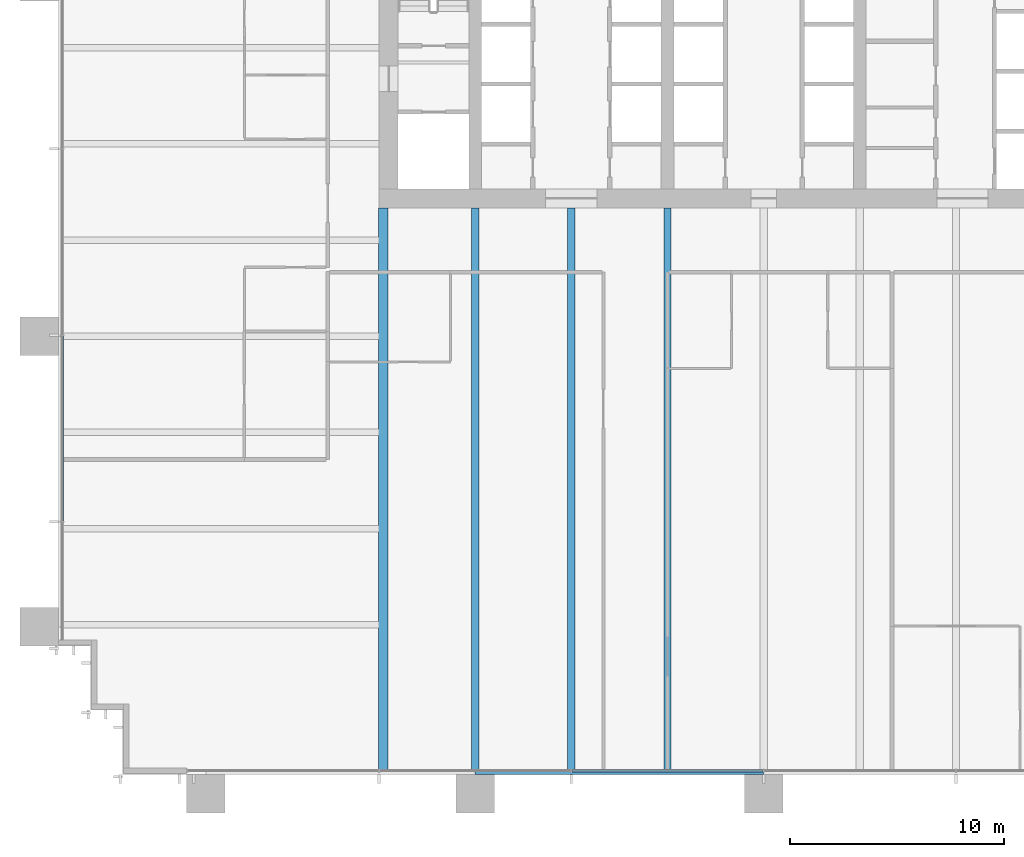
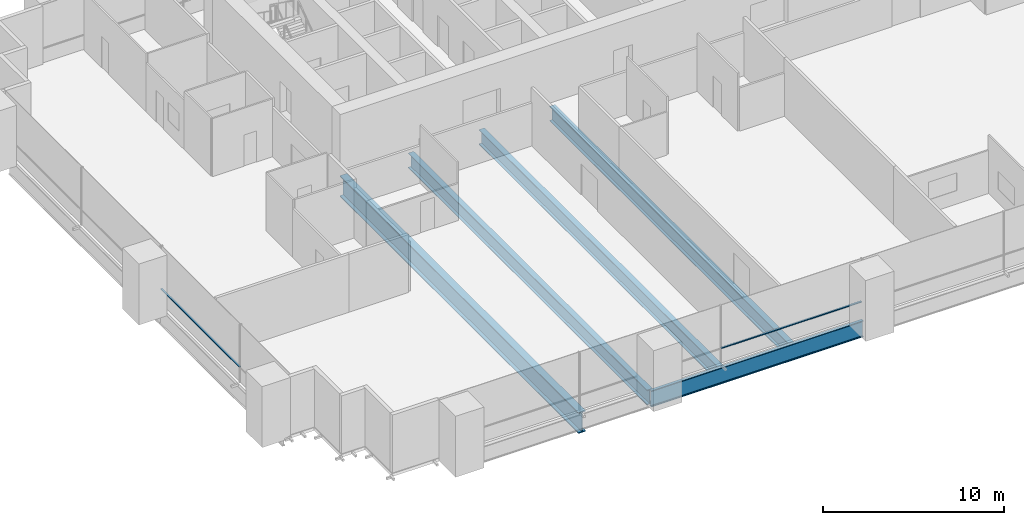
# One storey, part 3 of 17: 5 beams, 2 members, 2 elements without a shape of their own.
"""IFC4 building model written with IfcOpenShell, lengths in metres."""

from ifc_helpers import new_model, si_unit, direction, frame, origin, origin_2d, place, context, subcontext, project, spatial, rectangle, i_section, extrude, material, material_profile, profile_set, type_object, element, aggregate, save


model = new_model("IFC4")

# Units and contexts
model_context = context("Model", 3, precision=1e-05, world=origin(), true_north=direction((0.0, 1.0)))
body_context = subcontext(model_context, "Body", "Model", "MODEL_VIEW")
ifc_project = project(units=[si_unit("LENGTHUNIT", "METRE"), si_unit("AREAUNIT", "SQUARE_METRE"), si_unit("VOLUMEUNIT", "CUBIC_METRE"), si_unit("PLANEANGLEUNIT", "RADIAN"), si_unit("MASSUNIT", "GRAM", prefix="KILO")], contexts=[model_context])

# Site, building, storey
site_placement = place(None, origin())
site = spatial("IfcSite", under=ifc_project, at=site_placement, CompositionType="ELEMENT")
building_placement = place(site_placement, origin())
building = spatial("IfcBuilding", under=site, at=building_placement, Name="Rattan Terrace Tower", CompositionType="ELEMENT")
storey_placement = place(building_placement, frame((0.0, 0.0, 48.800048828125)))
storey = spatial("IfcBuildingStorey", under=building, at=storey_placement, Name="L10", CompositionType="ELEMENT", Elevation=48.800048828125)

# Curtain wall, member
ifc_material_1 = material(Name="Aluminium and glass", Category="aluminium")
curtain_wall_type = type_object("IfcCurtainWallType", Name="Facade Unitised Curtain Wall", PredefinedType="NOTDEFINED", material=ifc_material_1)
curtain_wall_1_placement = place(storey_placement, origin())
curtain_wall_1 = element("IfcCurtainWall", 1, at=curtain_wall_1_placement, inside=storey, type_object=curtain_wall_type, Name="Curtain wall L10-3", PredefinedType="NOTDEFINED")
ifc_material_2 = material(Name="Aluminium", Category="aluminium")
ifc_material_profile_1 = material_profile(ifc_material_2, rectangle(XDim=0.1201171875, YDim=0.06005859375, at=origin_2d()), Name="Aluminium 120x60")
ifc_profile_set_1 = profile_set([ifc_material_profile_1], Name="Aluminium")
member_type = type_object("IfcMemberType", Name="Facade CW Transom 120x60", PredefinedType="USERDEFINED", material=ifc_profile_set_1)
member_1_placement = place(storey_placement, frame((-32.830078125, -13.48388671875, 1.0), z_axis=(0.0, -1.0, 0.0), x_axis=(1.0, 0.0, 0.0)))
member_1 = element("IfcMember", 2, at=member_1_placement, type_object=member_type, Name="Transom cwl-L10-003.3", ObjectType="TRANSOM", PredefinedType="USERDEFINED", context=body_context, shape_type="SweptSolid", body=[
    extrude(rectangle(XDim=0.1201171875, YDim=0.06005859375, at=origin_2d()), origin(), (0.0, 0.0, 1.0), 8.6669921875),
])
aggregate(curtain_wall_1, [member_1])

curtain_wall_2_placement = place(storey_placement, origin())
curtain_wall_2 = element("IfcCurtainWall", 3, at=curtain_wall_2_placement, inside=storey, type_object=curtain_wall_type, Name="Curtain wall L10-4", PredefinedType="NOTDEFINED")
member_2_placement = place(storey_placement, frame((-8.969970703125, -33.830078125, 1.0), z_axis=(1.0, 0.0, 0.0), x_axis=(0.0, 1.0, 0.0)))
member_2 = element("IfcMember", 4, at=member_2_placement, type_object=member_type, Name="Transom cwl-L10-004.3", ObjectType="TRANSOM", PredefinedType="USERDEFINED", context=body_context, shape_type="SweptSolid", body=[
    extrude(rectangle(XDim=0.1201171875, YDim=0.06005859375, at=origin_2d()), origin(), (0.0, 0.0, 1.0), 8.93994140625),
])
aggregate(curtain_wall_2, [member_2])

# Beams
ifc_material_3 = material(Name="Steel S460", Category="steel")
ifc_material_profile_2 = material_profile(ifc_material_3, i_section(OverallWidth=0.449951171875, OverallDepth=1.39990234375, WebThickness=0.02197265625, FlangeThickness=0.054931640625, at=origin_2d()), Name="PG 1400x450-22-55")
ifc_profile_set_2 = profile_set([ifc_material_profile_2], Name="Steel S460")
beam_type_1 = type_object("IfcBeamType", Name="Frame core girder PG 1400x450-22-55", PredefinedType="BEAM", material=ifc_profile_set_2)
beam_1_placement = place(storey_placement, frame((-17.800048828125, -33.820068359375, -0.900146484375), z_axis=(0.0, 1.0, 0.0), x_axis=(-1.0, 0.0, 0.0)))
element("IfcBeam", 5, at=beam_1_placement, inside=storey, type_object=beam_type_1, Name="gdr-L10-013", PredefinedType="BEAM", context=body_context, shape_type="SweptSolid", body=[
    extrude(i_section(OverallWidth=0.449951171875, OverallDepth=1.39990234375, WebThickness=0.02197265625, FlangeThickness=0.054931640625, at=origin_2d()), origin(), (0.0, 0.0, 1.0), 26.320068359375),
])
ifc_material_4 = material(Name="Steel S460", Category="steel")
ifc_material_profile_3 = material_profile(ifc_material_4, i_section(OverallWidth=0.179931640625, OverallDepth=1.10009765625, WebThickness=0.01611328125, FlangeThickness=0.050048828125, at=origin_2d()), Name="PG 1100x180-16-50")
ifc_profile_set_3 = profile_set([ifc_material_profile_3], Name="Steel S460")
beam_type_2 = type_object("IfcBeamType", Name="Frame edge girder PG 1100x180-16-50", PredefinedType="SPANDREL", material=ifc_profile_set_3)
beam_2_placement = place(storey_placement, frame((-13.5, -33.909912109375, -0.75), z_axis=(1.0, 0.0, 0.0), x_axis=(0.0, 1.0, 0.0)))
element("IfcBeam", 6, at=beam_2_placement, inside=storey, type_object=beam_type_2, Name="gdr-L10-002", PredefinedType="SPANDREL", context=body_context, shape_type="SweptSolid", body=[
    extrude(i_section(OverallWidth=0.179931640625, OverallDepth=1.10009765625, WebThickness=0.01611328125, FlangeThickness=0.050048828125, at=origin_2d()), origin(), (0.0, 0.0, 1.0), 13.5),
])
ifc_material_5 = material(Name="Steel S460", Category="steel")
ifc_material_profile_4 = material_profile(ifc_material_5, i_section(OverallWidth=0.35009765625, OverallDepth=1.0, WebThickness=0.01611328125, FlangeThickness=0.044921875, at=origin_2d()), Name="PG 1000x350-16-45")
ifc_profile_set_4 = profile_set([ifc_material_profile_4], Name="Steel S460")
beam_type_3 = type_object("IfcBeamType", Name="Frame floor beam PG 1000x350-16-45", PredefinedType="JOIST", material=ifc_profile_set_4)
for number, where, z_axis, x_axis, name in (
    (7, (-13.5, -33.820068359375, -0.699951171875), (0.0, 1.0, 0.0), (-1.0, 0.0, 0.0), "bm-L10-003"),
    (8, (-9.0, -33.820068359375, -0.699951171875), (0.0, 1.0, 0.0), (-1.0, 0.0, 0.0), "bm-L10-004"),
    (9, (-4.5, -33.820068359375, -0.699951171875), (0.0, 1.0, 0.0), (-1.0, 0.0, 0.0), "bm-L10-005"),
):
    element("IfcBeam", number, at=place(storey_placement, frame(where, z_axis=z_axis, x_axis=x_axis)), inside=storey, type_object=beam_type_3, Name=name, PredefinedType="JOIST", context=body_context, shape_type="SweptSolid", body=[
        extrude(i_section(OverallWidth=0.35009765625, OverallDepth=1.0, WebThickness=0.01611328125, FlangeThickness=0.044921875, at=origin_2d()), origin(), (0.0, 0.0, 1.0), 26.320068359375),
    ])

save(model, "model.ifc")
